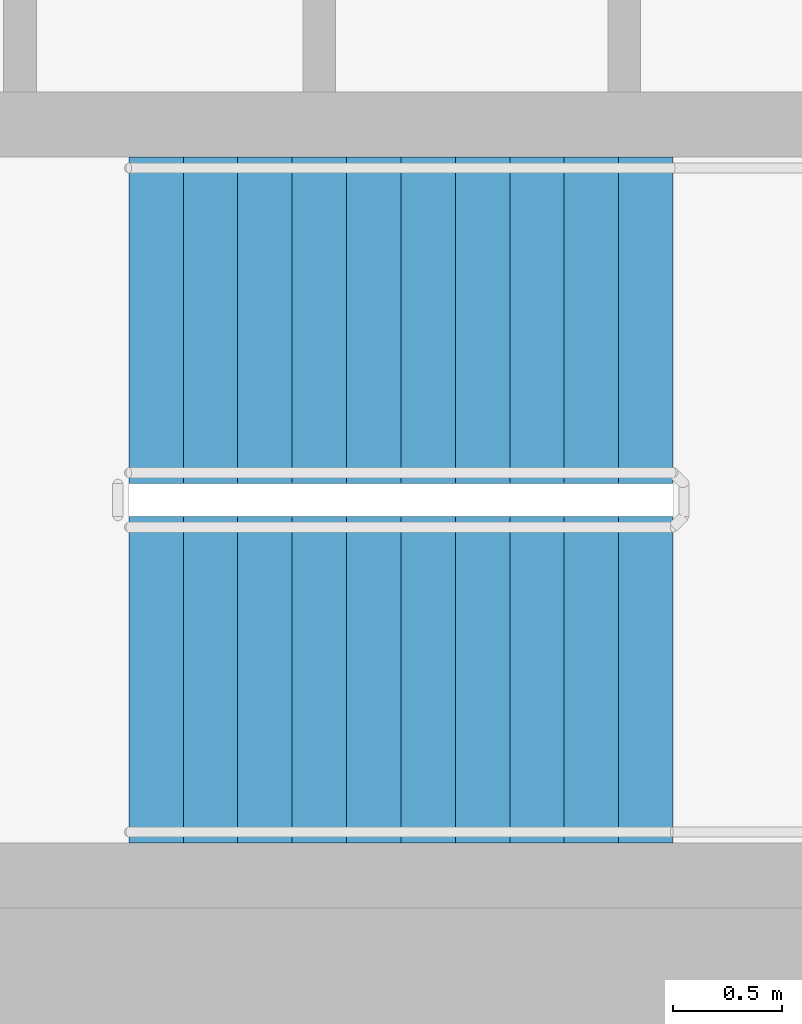
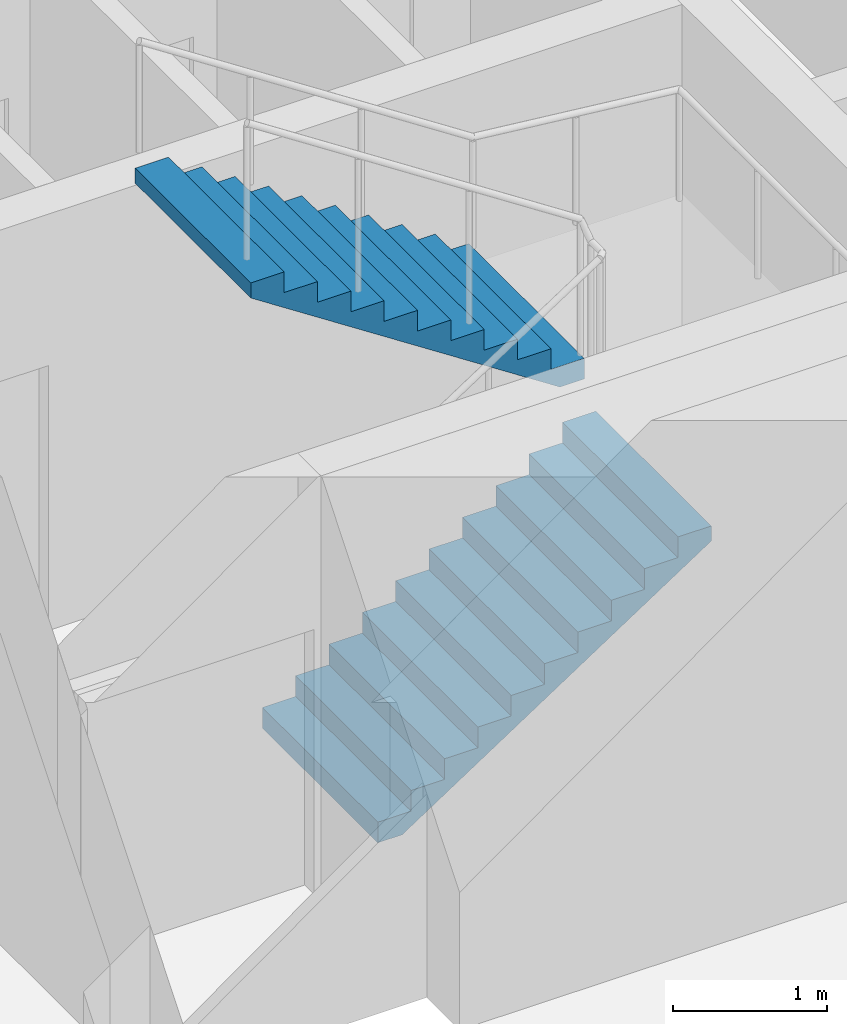
# One storey, part 9 of 10: 2 stair flights, 1 element without a shape of its own.
"""IFC4 building model written with IfcOpenShell, lengths in metres."""

from ifc_helpers import new_model, si_unit, direction, frame, origin, place, context, subcontext, project, spatial, polyline, outline, extrude, material, type_object, element, aggregate, save


model = new_model("IFC4")

# Units and contexts
model_context = context("Model", 3, precision=1e-05, world=origin(), true_north=direction((0.0, 1.0)))
body_context = subcontext(model_context, "Body", "Model", "MODEL_VIEW")
ifc_project = project(units=[si_unit("LENGTHUNIT", "METRE"), si_unit("AREAUNIT", "SQUARE_METRE"), si_unit("VOLUMEUNIT", "CUBIC_METRE"), si_unit("PLANEANGLEUNIT", "RADIAN"), si_unit("MASSUNIT", "GRAM", prefix="KILO")], contexts=[model_context])

# Site, building, storey
site_placement = place(None, origin())
site = spatial("IfcSite", under=ifc_project, at=site_placement, CompositionType="ELEMENT")
building_placement = place(site_placement, origin())
building = spatial("IfcBuilding", under=site, at=building_placement, Name="Tracery Tower", CompositionType="ELEMENT")
storey_placement = place(building_placement, frame((0.0, 0.0, 133.199951171875)))
storey = spatial("IfcBuildingStorey", under=building, at=storey_placement, Name="L33", CompositionType="ELEMENT", Elevation=133.199951171875)

# Stair, stair flights
ifc_material_1 = material(Name="Concrete C32/40", Category="concrete")
stair_type = type_object("IfcStairType", Name="Core stair 22 risers", PredefinedType="HALF_TURN_STAIR", material=ifc_material_1)
stair_placement = place(storey_placement, origin())
stair = element("IfcStair", 1, at=stair_placement, inside=storey, type_object=stair_type, Name="L33 stair ST2", PredefinedType="HALF_TURN_STAIR")
ifc_material_2 = material(Name="Concrete C32/40", Category="concrete")
stair_flight_type = type_object("IfcStairFlightType", Name="Core stair flight 11 risers", PredefinedType="STRAIGHT", material=ifc_material_2)
stair_flight_1_placement = place(storey_placement, frame((4.800048828125, -5.64990234375, 0.0), z_axis=(0.0, 0.0, 1.0), x_axis=(1.0, 0.0, 0.0)))
stair_flight_1 = element("IfcStairFlight", 2, at=stair_flight_1_placement, type_object=stair_flight_type, Name="ST2 flight 1", NumberOfRisers=11, NumberOfTreads=10, PredefinedType="STRAIGHT", RiserHeight=0.163636364, TreadLength=0.25, context=body_context, shape_type="SweptSolid", body=[
    extrude(outline(polyline([(0.0, 0.0), (0.0, 0.002685546875), (0.0, 0.00537109375), (0.0, 0.008056640625), (0.0, 0.0107421875), (0.0, 0.013427734375), (0.0, 0.01611328125), (0.0, 0.018798828125), (0.0, 0.021484375), (0.0, 0.024169921875), (0.0, 0.02685546875), (0.0, 0.029541015625), (0.0, 0.0322265625), (0.0, 0.034912109375), (0.0, 0.03759765625), (0.0, 0.040283203125), (0.0, 0.04296875), (0.0, 0.045654296875), (0.0, 0.04833984375), (0.0, 0.051025390625), (0.0, 0.0537109375), (0.0, 0.056396484375), (0.0, 0.05908203125), (0.0, 0.061767578125), (0.0, 0.064453125), (0.0, 0.067138671875), (0.0, 0.06982421875), (0.0, 0.072509765625), (0.0, 0.0751953125), (0.0, 0.077880859375), (0.0, 0.08056640625), (0.0, 0.083251953125), (0.0, 0.0859375), (0.0, 0.088623046875), (0.0, 0.09130859375), (0.0, 0.093994140625), (0.0, 0.0966796875), (0.0, 0.099365234375), (0.0, 0.10205078125), (0.0, 0.104736328125), (0.0, 0.107421875), (0.0, 0.10986328125), (0.0, 0.112548828125), (0.0, 0.115234375), (0.0, 0.117919921875), (0.0, 0.12060546875), (0.0, 0.123291015625), (0.0, 0.1259765625), (0.0, 0.128662109375), (0.0, 0.13134765625), (0.0, 0.134033203125), (0.0, 0.13671875), (0.0, 0.139404296875), (0.0, 0.14208984375), (0.0, 0.144775390625), (0.0, 0.1474609375), (0.0, 0.150146484375), (0.0, 0.15283203125), (0.0, 0.155517578125), (0.0, 0.158203125), (0.0, 0.160888671875), (0.0, 0.16357421875), (0.25, 0.16357421875), (0.25, 0.327392578125), (0.5, 0.327392578125), (0.5, 0.490966796875), (0.75, 0.490966796875), (0.75, 0.654541015625), (1.0, 0.654541015625), (1.0, 0.818115234375), (1.25, 0.818115234375), (1.25, 0.98193359375), (1.5, 0.98193359375), (1.5, 1.1455078125), (1.75, 1.1455078125), (1.75, 1.30908203125), (2.0, 1.30908203125), (2.0, 1.47265625), (2.25, 1.47265625), (2.25, 1.636474609375), (2.5, 1.636474609375), (2.5, 1.634521484375), (2.5, 1.63232421875), (2.5, 1.63037109375), (2.5, 1.62841796875), (2.5, 1.62646484375), (2.5, 1.62451171875), (2.5, 1.62255859375), (2.5, 1.62060546875), (2.5, 1.61865234375), (2.5, 1.61669921875), (2.5, 1.61474609375), (2.5, 1.61279296875), (2.5, 1.61083984375), (2.5, 1.60888671875), (2.5, 1.60693359375), (2.5, 1.60498046875), (2.5, 1.60302734375), (2.5, 1.60107421875), (2.5, 1.59912109375), (2.5, 1.59716796875), (2.5, 1.59521484375), (2.5, 1.59326171875), (2.5, 1.59130859375), (2.5, 1.58935546875), (2.5, 1.58740234375), (2.5, 1.58544921875), (2.5, 1.58349609375), (2.5, 1.58154296875), (2.5, 1.57958984375), (2.5, 1.57763671875), (2.5, 1.57568359375), (2.5, 1.573486328125), (2.5, 1.571533203125), (2.5, 1.569580078125), (2.5, 1.567626953125), (2.5, 1.565673828125), (2.5, 1.563720703125), (2.5, 1.561767578125), (2.5, 1.559814453125), (2.5, 1.557861328125), (2.5, 1.555908203125), (2.5, 1.553955078125), (2.5, 1.552001953125), (2.5, 1.550048828125), (2.5, 1.548095703125), (2.5, 1.546142578125), (2.5, 1.544189453125), (2.5, 1.542236328125), (2.5, 1.540283203125), (2.5, 1.538330078125), (2.5, 1.536376953125), (2.5, 1.534423828125), (2.5, 1.532470703125), (2.5, 1.530517578125), (2.5, 1.528564453125), (2.5, 1.526611328125), (2.5, 1.524658203125), (2.5, 1.522705078125), (2.5, 1.520751953125), (2.5, 1.518798828125), (2.5, 1.516845703125), (0.182861328125, 0.0), (0.0, 0.0)])), frame((0.0, 0.75, 0.0), z_axis=(0.0, -1.0, 0.0), x_axis=(1.0, 0.0, 0.0)), (0.0, 0.0, 1.0), 1.5),
])
stair_flight_2_placement = place(storey_placement, frame((7.300048828125, -4.0, 1.800048828125), z_axis=(0.0, 0.0, 1.0), x_axis=(-1.0, 0.0, 0.0)))
stair_flight_2 = element("IfcStairFlight", 3, at=stair_flight_2_placement, type_object=stair_flight_type, Name="ST2 flight 2", NumberOfRisers=11, NumberOfTreads=10, PredefinedType="STRAIGHT", RiserHeight=0.163636364, TreadLength=0.25, context=body_context, shape_type="SweptSolid", body=[
    extrude(outline(polyline([(0.0, 0.0), (0.0, 0.002685546875), (0.0, 0.00537109375), (0.0, 0.008056640625), (0.0, 0.0107421875), (0.0, 0.013427734375), (0.0, 0.01611328125), (0.0, 0.018798828125), (0.0, 0.021484375), (0.0, 0.024169921875), (0.0, 0.02685546875), (0.0, 0.029541015625), (0.0, 0.0322265625), (0.0, 0.034912109375), (0.0, 0.03759765625), (0.0, 0.040283203125), (0.0, 0.04296875), (0.0, 0.045654296875), (0.0, 0.04833984375), (0.0, 0.051025390625), (0.0, 0.0537109375), (0.0, 0.056396484375), (0.0, 0.05908203125), (0.0, 0.061767578125), (0.0, 0.064453125), (0.0, 0.067138671875), (0.0, 0.06982421875), (0.0, 0.072509765625), (0.0, 0.0751953125), (0.0, 0.077880859375), (0.0, 0.08056640625), (0.0, 0.083251953125), (0.0, 0.0859375), (0.0, 0.088623046875), (0.0, 0.09130859375), (0.0, 0.093994140625), (0.0, 0.0966796875), (0.0, 0.099365234375), (0.0, 0.10205078125), (0.0, 0.104736328125), (0.0, 0.107421875), (0.0, 0.10986328125), (0.0, 0.112548828125), (0.0, 0.115234375), (0.0, 0.117919921875), (0.0, 0.12060546875), (0.0, 0.123291015625), (0.0, 0.1259765625), (0.0, 0.128662109375), (0.0, 0.13134765625), (0.0, 0.134033203125), (0.0, 0.13671875), (0.0, 0.139404296875), (0.0, 0.14208984375), (0.0, 0.144775390625), (0.0, 0.1474609375), (0.0, 0.150146484375), (0.0, 0.15283203125), (0.0, 0.155517578125), (0.0, 0.158203125), (0.0, 0.160888671875), (0.0, 0.16357421875), (0.25, 0.16357421875), (0.25, 0.327392578125), (0.5, 0.327392578125), (0.5, 0.490966796875), (0.75, 0.490966796875), (0.75, 0.654541015625), (1.0, 0.654541015625), (1.0, 0.818115234375), (1.25, 0.818115234375), (1.25, 0.98193359375), (1.5, 0.98193359375), (1.5, 1.1455078125), (1.75, 1.1455078125), (1.75, 1.30908203125), (2.0, 1.30908203125), (2.0, 1.47265625), (2.25, 1.47265625), (2.25, 1.636474609375), (2.5, 1.636474609375), (2.5, 1.634521484375), (2.5, 1.63232421875), (2.5, 1.63037109375), (2.5, 1.62841796875), (2.5, 1.62646484375), (2.5, 1.62451171875), (2.5, 1.62255859375), (2.5, 1.62060546875), (2.5, 1.61865234375), (2.5, 1.61669921875), (2.5, 1.61474609375), (2.5, 1.61279296875), (2.5, 1.61083984375), (2.5, 1.60888671875), (2.5, 1.60693359375), (2.5, 1.60498046875), (2.5, 1.60302734375), (2.5, 1.60107421875), (2.5, 1.59912109375), (2.5, 1.59716796875), (2.5, 1.59521484375), (2.5, 1.59326171875), (2.5, 1.59130859375), (2.5, 1.58935546875), (2.5, 1.58740234375), (2.5, 1.58544921875), (2.5, 1.58349609375), (2.5, 1.58154296875), (2.5, 1.57958984375), (2.5, 1.57763671875), (2.5, 1.57568359375), (2.5, 1.573486328125), (2.5, 1.571533203125), (2.5, 1.569580078125), (2.5, 1.567626953125), (2.5, 1.565673828125), (2.5, 1.563720703125), (2.5, 1.561767578125), (2.5, 1.559814453125), (2.5, 1.557861328125), (2.5, 1.555908203125), (2.5, 1.553955078125), (2.5, 1.552001953125), (2.5, 1.550048828125), (2.5, 1.548095703125), (2.5, 1.546142578125), (2.5, 1.544189453125), (2.5, 1.542236328125), (2.5, 1.540283203125), (2.5, 1.538330078125), (2.5, 1.536376953125), (2.5, 1.534423828125), (2.5, 1.532470703125), (2.5, 1.530517578125), (2.5, 1.528564453125), (2.5, 1.526611328125), (2.5, 1.524658203125), (2.5, 1.522705078125), (2.5, 1.520751953125), (2.5, 1.518798828125), (2.5, 1.516845703125), (0.182861328125, 0.0), (0.0, 0.0)])), frame((0.0, 0.75, 0.0), z_axis=(0.0, -1.0, 0.0), x_axis=(1.0, 0.0, 0.0)), (0.0, 0.0, 1.0), 1.5),
])
aggregate(stair, [stair_flight_1, stair_flight_2])

save(model, "model.ifc")
